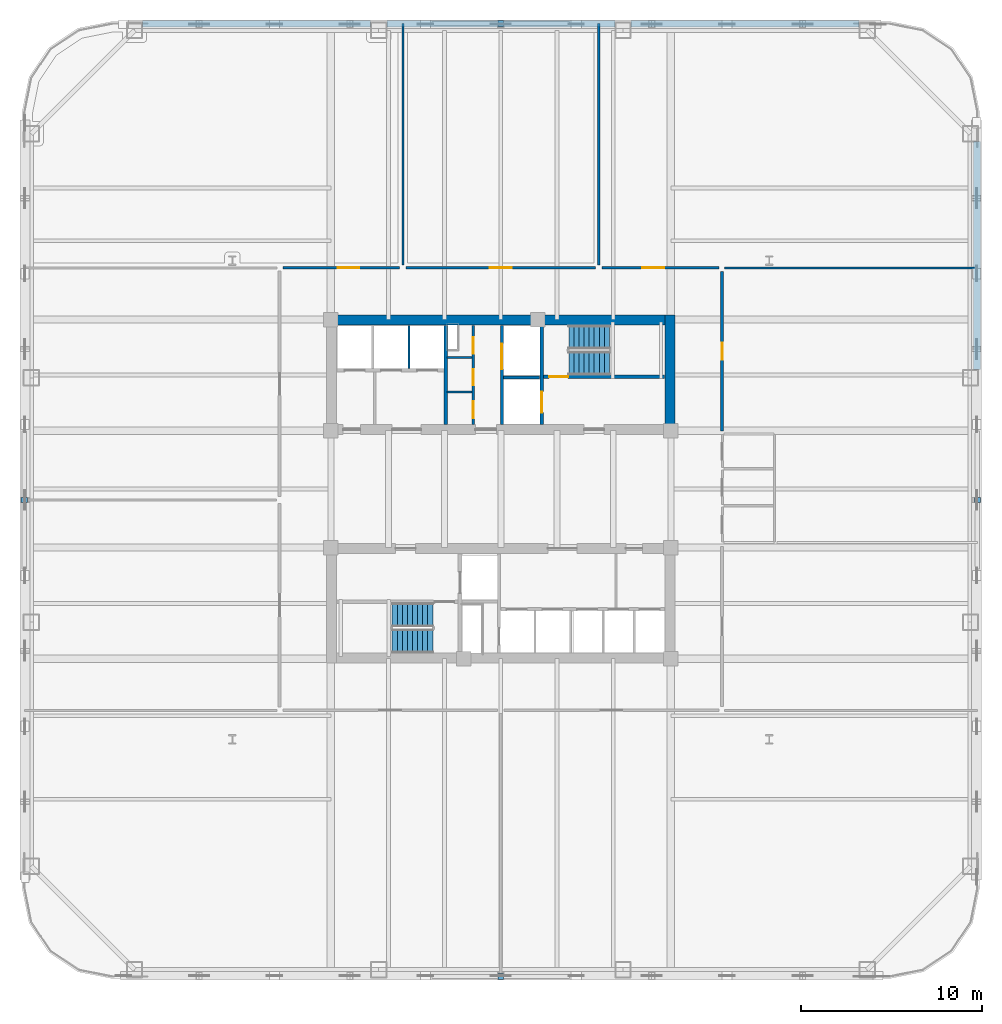
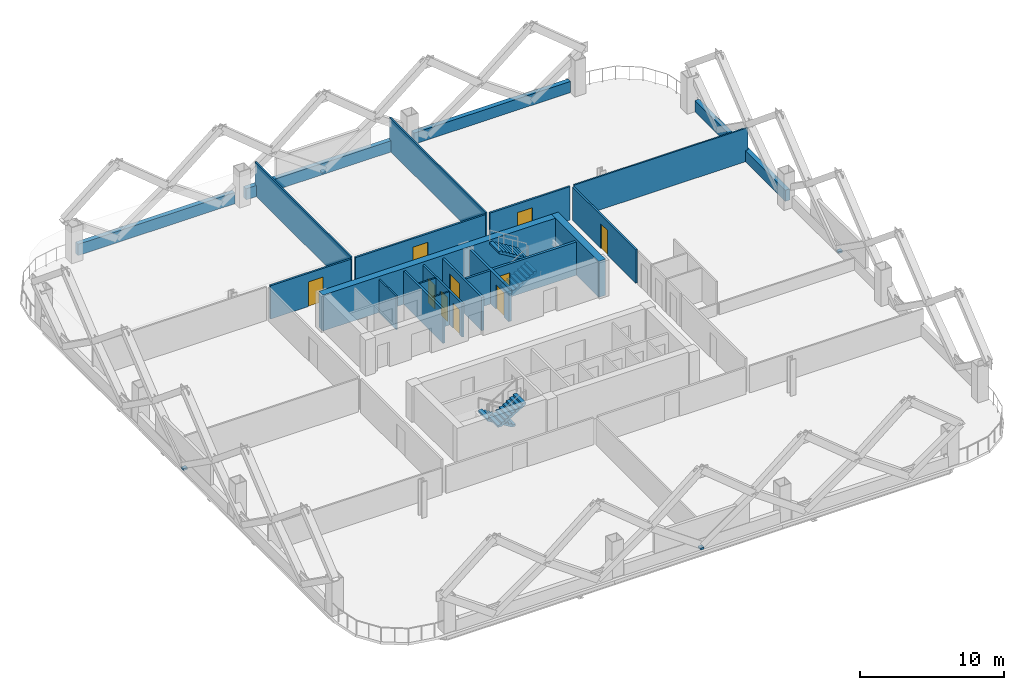
# One storey, part 6 of 12: 22 walls, 10 doors, 4 discrete accessories, 4 stair flights, 10 openings, 2 elements without a shape of their own.
"""IFC4 building model written with IfcOpenShell, lengths in metres."""

from ifc_helpers import new_model, si_unit, direction, frame, frame_2d, origin, origin_2d, place, context, subcontext, project, spatial, polyline, rectangle, outline, extrude, material, layer, layer_set, type_object, element, fill, aggregate, save


model = new_model("IFC4")

# Units and contexts
model_context = context("Model", 3, precision=1e-05, world=origin(), true_north=direction((0.0, 1.0)))
body_context = subcontext(model_context, "Body", "Model", "MODEL_VIEW")
ifc_project = project(units=[si_unit("LENGTHUNIT", "METRE"), si_unit("AREAUNIT", "SQUARE_METRE"), si_unit("VOLUMEUNIT", "CUBIC_METRE"), si_unit("PLANEANGLEUNIT", "RADIAN"), si_unit("MASSUNIT", "GRAM", prefix="KILO")], contexts=[model_context])

# Site, building, storey
site_placement = place(None, origin())
site = spatial("IfcSite", under=ifc_project, at=site_placement, CompositionType="ELEMENT")
building_placement = place(site_placement, origin())
building = spatial("IfcBuilding", under=site, at=building_placement, Name="Qhalaya Broadcast Tower", CompositionType="ELEMENT")
storey_placement = place(building_placement, frame((0.0, 0.0, 50.5)))
storey = spatial("IfcBuildingStorey", under=building, at=storey_placement, Name="L14", CompositionType="ELEMENT", Elevation=50.5)

# Wall, openings, doors
ifc_material_1 = material(Name="Gypsum Acoustic Partition")
ifc_layer_1 = layer(ifc_material_1, 0.14990234375, Name="Gypsum Acoustic Partition")
ifc_layer_set_1 = layer_set([ifc_layer_1], Name="Gypsum Acoustic Partition")
wall_type_1 = type_object("IfcWallType", Name="Corridor & Tenancy Acoustic Partition 150", PredefinedType="PARTITIONING", material=ifc_layer_set_1)
wall_1_placement = place(storey_placement, frame((-1.52001953125, 4.169921875, 0.0), z_axis=(0.0, 0.0, 1.0), x_axis=(0.0, 1.0, 0.0)))
wall_1 = element("IfcWall", 1, at=wall_1_placement, inside=storey, type_object=wall_type_1, Name="L14 Partition Wall NCW-SVL", PredefinedType="PARTITIONING", context=body_context, shape_type="SweptSolid", body=[
    extrude(rectangle(XDim=5.4599609375, YDim=0.14990234375, at=frame_2d((2.72998046875, 0.0))), origin(), (0.0, 0.0, 1.0), 2.830078125),
])
opening_1_placement = place(wall_1_placement, frame((3.89990234375, 0.0, 0.0)))
opening_1 = element("IfcOpeningElement", 2, at=opening_1_placement, cuts=wall_1, Name="Opening D06", PredefinedType="OPENING", context=body_context, shape_type="SweptSolid", body=[
    extrude(rectangle(XDim=0.89990234375, YDim=2.050048828125, at=frame_2d((0.449951171875, 1.02490234375))), frame((0.0, 0.0869140625, 0.0), z_axis=(0.0, -1.0, 0.0), x_axis=(1.0, 0.0, 0.0)), (0.0, 0.0, 1.0), 0.173828125),
])
opening_2_placement = place(wall_1_placement, frame((2.14990234375, 0.0, 0.0)))
opening_2 = element("IfcOpeningElement", 3, at=opening_2_placement, cuts=wall_1, Name="Opening D06", PredefinedType="OPENING", context=body_context, shape_type="SweptSolid", body=[
    extrude(rectangle(XDim=0.89990234375, YDim=2.050048828125, at=frame_2d((0.449951171875, 1.02490234375))), frame((0.0, 0.0869140625, 0.0), z_axis=(0.0, -1.0, 0.0), x_axis=(1.0, 0.0, 0.0)), (0.0, 0.0, 1.0), 0.173828125),
])
opening_3_placement = place(wall_1_placement, frame((0.35009765625, 0.0, 0.0)))
opening_3 = element("IfcOpeningElement", 4, at=opening_3_placement, cuts=wall_1, Name="Opening D12", PredefinedType="OPENING", context=body_context, shape_type="SweptSolid", body=[
    extrude(rectangle(XDim=0.919921875, YDim=2.10009765625, at=frame_2d((0.4599609375, 1.050048828125))), frame((0.0, 0.0869140625, 0.0), z_axis=(0.0, -1.0, 0.0), x_axis=(1.0, 0.0, 0.0)), (0.0, 0.0, 1.0), 0.173828125),
])
ifc_material_2 = material(Name="Timber Veneer Acoustic Door", Category="wood")
door_type_1 = type_object("IfcDoorType", Name="Accessible WC & Restroom Door D12", OperationType="NOTDEFINED", PredefinedType="DOOR", material=ifc_material_2)
door_1_placement = place(opening_3_placement, origin())
door_1 = element("IfcDoor", 5, at=door_1_placement, inside=storey, type_object=door_type_1, Name="L14 Door D-NCWC", OperationType="SINGLE_SWING_RIGHT", OverallHeight=2.10009765625, OverallWidth=0.919921875, PredefinedType="DOOR", context=body_context, shape_type="SweptSolid", body=[
    extrude(rectangle(XDim=0.919921875, YDim=2.10009765625, at=frame_2d((0.4599609375, 1.050048828125))), frame((0.0, 0.02490234375, 0.0), z_axis=(0.0, -1.0, 0.0), x_axis=(1.0, 0.0, 0.0)), (0.0, 0.0, 1.0), 0.050048828125),
])
fill(opening_3, door_1)
ifc_material_3 = material(Name="Fire-Rated Steel Door", Category="steel")
door_type_2 = type_object("IfcDoorType", Name="Riser & Electrical Shaft Access Door D06", OperationType="NOTDEFINED", PredefinedType="DOOR", material=ifc_material_3)
door_2_placement = place(opening_1_placement, origin())
door_2 = element("IfcDoor", 6, at=door_2_placement, inside=storey, type_object=door_type_2, Name="L14 Riser Shaft Access Door D-NRSR", OperationType="SINGLE_SWING_RIGHT", OverallHeight=2.050048828125, OverallWidth=0.89990234375, PredefinedType="DOOR", context=body_context, shape_type="SweptSolid", body=[
    extrude(rectangle(XDim=0.89990234375, YDim=2.050048828125, at=frame_2d((0.449951171875, 1.02490234375))), frame((0.0, 0.02490234375, 0.0), z_axis=(0.0, -1.0, 0.0), x_axis=(1.0, 0.0, 0.0)), (0.0, 0.0, 1.0), 0.050048828125),
])
fill(opening_1, door_2)
door_3_placement = place(opening_2_placement, origin())
door_3 = element("IfcDoor", 7, at=door_3_placement, inside=storey, type_object=door_type_2, Name="L14 Door D-NITR", OperationType="SINGLE_SWING_LEFT", OverallHeight=2.050048828125, OverallWidth=0.89990234375, PredefinedType="DOOR", context=body_context, shape_type="SweptSolid", body=[
    extrude(rectangle(XDim=0.89990234375, YDim=2.050048828125, at=frame_2d((0.449951171875, 1.02490234375))), frame((0.0, 0.02490234375, 0.0), z_axis=(0.0, -1.0, 0.0), x_axis=(1.0, 0.0, 0.0)), (0.0, 0.0, 1.0), 0.050048828125),
])
fill(opening_2, door_3)

# Wall, opening, door
wall_2_placement = place(storey_placement, frame((-12.02001953125, 12.800048828125, 0.0), z_axis=(0.0, 0.0, 1.0), x_axis=(1.0, 0.0, 0.0)))
wall_2 = element("IfcWall", 8, at=wall_2_placement, inside=storey, type_object=wall_type_1, Name="L14 Partition Wall W-COR-01", PredefinedType="PARTITIONING", context=body_context, shape_type="SweptSolid", body=[
    extrude(rectangle(XDim=6.43994140625, YDim=0.14990234375, at=frame_2d((3.219970703125, 0.0))), origin(), (0.0, 0.0, 1.0), 2.830078125),
])
opening_4_placement = place(wall_2_placement, frame((3.02001953125, 0.0, 0.0)))
opening_4 = element("IfcOpeningElement", 9, at=opening_4_placement, cuts=wall_2, Name="Opening D11", PredefinedType="OPENING", context=body_context, shape_type="SweptSolid", body=[
    extrude(rectangle(XDim=1.199951171875, YDim=2.10009765625, at=frame_2d((0.60009765625, 1.050048828125))), frame((0.0, 0.0869140625, 0.0), z_axis=(0.0, -1.0, 0.0), x_axis=(1.0, 0.0, 0.0)), (0.0, 0.0, 1.0), 0.173828125),
])
ifc_material_4 = material(Name="Anodised Aluminium Glazed Door", Category="aluminium")
door_type_3 = type_object("IfcDoorType", Name="Conference, Boardroom & Studio Control Door D11", OperationType="NOTDEFINED", PredefinedType="DOOR", material=ifc_material_4)
door_4_placement = place(opening_4_placement, origin())
door_4 = element("IfcDoor", 10, at=door_4_placement, inside=storey, type_object=door_type_3, Name="L14 Door D-RM01", OperationType="SINGLE_SWING_RIGHT", OverallHeight=2.10009765625, OverallWidth=1.199951171875, PredefinedType="DOOR", context=body_context, shape_type="SweptSolid", body=[
    extrude(rectangle(XDim=1.199951171875, YDim=2.10009765625, at=frame_2d((0.60009765625, 1.050048828125))), frame((0.0, 0.02490234375, 0.0), z_axis=(0.0, -1.0, 0.0), x_axis=(1.0, 0.0, 0.0)), (0.0, 0.0, 1.0), 0.050048828125),
])
fill(opening_4, door_4)

wall_3_placement = place(storey_placement, frame((-5.219970703125, 12.800048828125, 0.0), z_axis=(0.0, 0.0, 1.0), x_axis=(1.0, 0.0, 0.0)))
wall_3 = element("IfcWall", 11, at=wall_3_placement, inside=storey, type_object=wall_type_1, Name="L14 Partition Wall W-COR-02", PredefinedType="PARTITIONING", context=body_context, shape_type="SweptSolid", body=[
    extrude(rectangle(XDim=10.43994140625, YDim=0.14990234375, at=frame_2d((5.219970703125, 0.0))), origin(), (0.0, 0.0, 1.0), 2.830078125),
])
opening_5_placement = place(wall_3_placement, frame((4.6201171875, 0.0, 0.0)))
opening_5 = element("IfcOpeningElement", 12, at=opening_5_placement, cuts=wall_3, Name="Opening D11", PredefinedType="OPENING", context=body_context, shape_type="SweptSolid", body=[
    extrude(rectangle(XDim=1.199951171875, YDim=2.10009765625, at=frame_2d((0.60009765625, 1.050048828125))), frame((0.0, 0.0869140625, 0.0), z_axis=(0.0, -1.0, 0.0), x_axis=(1.0, 0.0, 0.0)), (0.0, 0.0, 1.0), 0.173828125),
])
door_5_placement = place(opening_5_placement, origin())
door_5 = element("IfcDoor", 13, at=door_5_placement, inside=storey, type_object=door_type_3, Name="L14 Door D-RM02", OperationType="SINGLE_SWING_LEFT", OverallHeight=2.10009765625, OverallWidth=1.199951171875, PredefinedType="DOOR", context=body_context, shape_type="SweptSolid", body=[
    extrude(rectangle(XDim=1.199951171875, YDim=2.10009765625, at=frame_2d((0.60009765625, 1.050048828125))), frame((0.0, 0.02490234375, 0.0), z_axis=(0.0, -1.0, 0.0), x_axis=(1.0, 0.0, 0.0)), (0.0, 0.0, 1.0), 0.050048828125),
])
fill(opening_5, door_5)

wall_4_placement = place(storey_placement, frame((5.580078125, 12.800048828125, 0.0), z_axis=(0.0, 0.0, 1.0), x_axis=(1.0, 0.0, 0.0)))
wall_4 = element("IfcWall", 14, at=wall_4_placement, inside=storey, type_object=wall_type_1, Name="L14 Partition Wall W-COR-03", PredefinedType="PARTITIONING", context=body_context, shape_type="SweptSolid", body=[
    extrude(rectangle(XDim=6.43994140625, YDim=0.14990234375, at=frame_2d((3.219970703125, 0.0))), origin(), (0.0, 0.0, 1.0), 2.830078125),
])
opening_6_placement = place(wall_4_placement, frame((2.219970703125, 0.0, 0.0)))
opening_6 = element("IfcOpeningElement", 15, at=opening_6_placement, cuts=wall_4, Name="Opening D11", PredefinedType="OPENING", context=body_context, shape_type="SweptSolid", body=[
    extrude(rectangle(XDim=1.199951171875, YDim=2.10009765625, at=frame_2d((0.60009765625, 1.050048828125))), frame((0.0, 0.0869140625, 0.0), z_axis=(0.0, -1.0, 0.0), x_axis=(1.0, 0.0, 0.0)), (0.0, 0.0, 1.0), 0.173828125),
])
door_6_placement = place(opening_6_placement, origin())
door_6 = element("IfcDoor", 16, at=door_6_placement, inside=storey, type_object=door_type_3, Name="L14 Door D-RM03", OperationType="SINGLE_SWING_RIGHT", OverallHeight=2.10009765625, OverallWidth=1.199951171875, PredefinedType="DOOR", context=body_context, shape_type="SweptSolid", body=[
    extrude(rectangle(XDim=1.199951171875, YDim=2.10009765625, at=frame_2d((0.60009765625, 1.050048828125))), frame((0.0, 0.02490234375, 0.0), z_axis=(0.0, -1.0, 0.0), x_axis=(1.0, 0.0, 0.0)), (0.0, 0.0, 1.0), 0.050048828125),
])
fill(opening_6, door_6)

wall_5_placement = place(storey_placement, frame((12.199951171875, 3.800048828125, 0.0), z_axis=(0.0, 0.0, 1.0), x_axis=(0.0, 1.0, 0.0)))
wall_5 = element("IfcWall", 17, at=wall_5_placement, inside=storey, type_object=wall_type_1, Name="L14 Partition Wall W-COR-09", PredefinedType="PARTITIONING", context=body_context, shape_type="SweptSolid", body=[
    extrude(rectangle(XDim=8.800048828125, YDim=0.14990234375, at=frame_2d((4.39990234375, 0.0))), origin(), (0.0, 0.0, 1.0), 2.830078125),
])
opening_7_placement = place(wall_5_placement, frame((3.925048828125, 0.0, 0.0)))
opening_7 = element("IfcOpeningElement", 18, at=opening_7_placement, cuts=wall_5, Name="Opening D10", PredefinedType="OPENING", context=body_context, shape_type="SweptSolid", body=[
    extrude(rectangle(XDim=0.949951171875, YDim=2.10009765625, at=frame_2d((0.47509765625, 1.050048828125))), frame((0.0, 0.0869140625, 0.0), z_axis=(0.0, -1.0, 0.0), x_axis=(1.0, 0.0, 0.0)), (0.0, 0.0, 1.0), 0.173828125),
])
door_type_4 = type_object("IfcDoorType", Name="Cellular Office & Edit Booth Door D10", OperationType="NOTDEFINED", PredefinedType="DOOR", material=ifc_material_2)
door_7_placement = place(opening_7_placement, origin())
door_7 = element("IfcDoor", 19, at=door_7_placement, inside=storey, type_object=door_type_4, Name="L14 Door D-RM09", OperationType="SINGLE_SWING_RIGHT", OverallHeight=2.10009765625, OverallWidth=0.949951171875, PredefinedType="DOOR", context=body_context, shape_type="SweptSolid", body=[
    extrude(rectangle(XDim=0.949951171875, YDim=2.10009765625, at=frame_2d((0.47509765625, 1.050048828125))), frame((0.0, 0.02490234375, 0.0), z_axis=(0.0, -1.0, 0.0), x_axis=(1.0, 0.0, 0.0)), (0.0, 0.0, 1.0), 0.050048828125),
])
fill(opening_7, door_7)

# Walls
ifc_material_5 = material(Name="Precast Concrete C40/50", Category="concrete")
ifc_layer_2 = layer(ifc_material_5, 0.360107421875, Name="Precast Concrete C40/50")
ifc_layer_set_2 = layer_set([ifc_layer_2], Name="Precast Concrete C40/50")
wall_type_2 = type_object("IfcWallType", Name="Insulated Precast Terracotta Exterior Wall 360", PredefinedType="SOLIDWALL", material=ifc_layer_set_2)
for number, where, z_axis, x_axis, name in (
    (20, (26.260009765625, 19.761962890625, 0.0), (0.0, 0.0, 1.0), (0.0, -1.0, 0.0), "L14 Exoskeleton Diagrid Infill Wall E1"),
    (21, (-19.761962890625, 26.260009765625, 0.0), (0.0, 0.0, 1.0), (1.0, 0.0, 0.0), "L14 Exoskeleton Diagrid Infill Wall N1"),
):
    element("IfcWall", number, at=place(storey_placement, frame(where, z_axis=z_axis, x_axis=x_axis)), inside=storey, type_object=wall_type_2, Name=name, PredefinedType="SOLIDWALL", context=body_context, shape_type="SweptSolid", body=[
        extrude(rectangle(XDim=12.57861328125, YDim=0.360107421875, at=frame_2d((6.289306640625, 0.0))), origin(), (0.0, 0.0, 1.0), 0.949951171875),
    ])
wall_6_placement = place(storey_placement, frame((-6.283203125, 26.260009765625, 0.0), z_axis=(0.0, 0.0, 1.0), x_axis=(1.0, 0.0, 0.0)))
element("IfcWall", 22, at=wall_6_placement, inside=storey, type_object=wall_type_2, Name="L14 Exoskeleton Diagrid Infill Wall N2", PredefinedType="SOLIDWALL", context=body_context, shape_type="SweptSolid", body=[
    extrude(rectangle(XDim=12.56640625, YDim=0.360107421875, at=frame_2d((6.283203125, 0.0))), origin(), (0.0, 0.0, 1.0), 0.949951171875),
])
wall_7_placement = place(storey_placement, frame((7.183349609375, 26.260009765625, 0.0), z_axis=(0.0, 0.0, 1.0), x_axis=(1.0, 0.0, 0.0)))
element("IfcWall", 23, at=wall_7_placement, inside=storey, type_object=wall_type_2, Name="L14 Exoskeleton Diagrid Infill Wall N3", PredefinedType="SOLIDWALL", context=body_context, shape_type="SweptSolid", body=[
    extrude(rectangle(XDim=12.57861328125, YDim=0.360107421875, at=frame_2d((6.289306640625, 0.0))), origin(), (0.0, 0.0, 1.0), 0.949951171875),
])

# Wall, opening, door
ifc_material_6 = material(Name="Concrete C50/60", Category="concrete")
ifc_layer_3 = layer(ifc_material_6, 0.199951171875, Name="Concrete C50/60")
ifc_layer_set_3 = layer_set([ifc_layer_3], Name="Concrete C50/60")
wall_type_3 = type_object("IfcWallType", Name="Load-Bearing Stair Shaft Wall 200", PredefinedType="SHEAR", material=ifc_layer_set_3)
wall_8_placement = place(storey_placement, frame((2.360107421875, 6.804931640625, 0.0), z_axis=(0.0, 0.0, 1.0), x_axis=(1.0, 0.0, 0.0)))
wall_8 = element("IfcWall", 24, at=wall_8_placement, inside=storey, type_object=wall_type_3, Name="L14 Stair Core Shear Wall NCW-ST1", PredefinedType="SHEAR", context=body_context, shape_type="SweptSolid", body=[
    extrude(rectangle(XDim=6.669921875, YDim=0.199951171875, at=frame_2d((3.3349609375, 0.0))), origin(), (0.0, 0.0, 1.0), 2.830078125),
])
opening_8_placement = place(wall_8_placement, frame((0.300048828125, 0.0, 0.0)))
opening_8 = element("IfcOpeningElement", 25, at=opening_8_placement, cuts=wall_8, Name="Opening D03", PredefinedType="OPENING", context=body_context, shape_type="SweptSolid", body=[
    extrude(rectangle(XDim=1.050048828125, YDim=2.080078125, at=frame_2d((0.52490234375, 1.0400390625))), frame((0.0, 0.112060546875, 0.0), z_axis=(0.0, -1.0, 0.0), x_axis=(1.0, 0.0, 0.0)), (0.0, 0.0, 1.0), 0.223876953125),
])
door_type_5 = type_object("IfcDoorType", Name="Core Stair Protected Fire Door D03", OperationType="NOTDEFINED", PredefinedType="DOOR", material=ifc_material_3)
door_8_placement = place(opening_8_placement, origin())
door_8 = element("IfcDoor", 26, at=door_8_placement, inside=storey, type_object=door_type_5, Name="L14 Door D-NST1", OperationType="SINGLE_SWING_LEFT", OverallHeight=2.080078125, OverallWidth=1.050048828125, PredefinedType="DOOR", context=body_context, shape_type="SweptSolid", body=[
    extrude(rectangle(XDim=1.050048828125, YDim=2.080078125, at=frame_2d((0.52490234375, 1.0400390625))), frame((0.0, 0.02490234375, 0.0), z_axis=(0.0, -1.0, 0.0), x_axis=(1.0, 0.0, 0.0)), (0.0, 0.0, 1.0), 0.050048828125),
])
fill(opening_8, door_8)

wall_9_placement = place(storey_placement, frame((2.25, 4.169921875, 0.0), z_axis=(0.0, 0.0, 1.0), x_axis=(0.0, 1.0, 0.0)))
wall_9 = element("IfcWall", 27, at=wall_9_placement, inside=storey, type_object=wall_type_3, Name="L14 Stair Core Shear Wall NCW-FF", PredefinedType="SHEAR", context=body_context, shape_type="SweptSolid", body=[
    extrude(rectangle(XDim=5.4599609375, YDim=0.199951171875, at=frame_2d((2.72998046875, 0.0))), origin(), (0.0, 0.0, 1.0), 2.830078125),
])
opening_9_placement = place(wall_9_placement, frame((0.64990234375, 0.0, 0.0)))
opening_9 = element("IfcOpeningElement", 28, at=opening_9_placement, cuts=wall_9, Name="Opening LD2", PredefinedType="OPENING", context=body_context, shape_type="SweptSolid", body=[
    extrude(rectangle(XDim=1.14990234375, YDim=2.080078125, at=frame_2d((0.574951171875, 1.0400390625))), frame((0.0, 0.112060546875, 0.0), z_axis=(0.0, -1.0, 0.0), x_axis=(1.0, 0.0, 0.0)), (0.0, 0.0, 1.0), 0.223876953125),
])
ifc_material_7 = material(Name="Brushed Stainless Steel Lift Door", Category="steel")
door_type_6 = type_object("IfcDoorType", Name="Firefighting Lift Sliding Landing Door LD2", OperationType="DOUBLE_DOOR_SLIDING", PredefinedType="DOOR", material=ifc_material_7)
door_9_placement = place(opening_9_placement, origin())
door_9 = element("IfcDoor", 29, at=door_9_placement, inside=storey, type_object=door_type_6, Name="L14 Door LD-FF1", OperationType="DOUBLE_DOOR_SLIDING", OverallHeight=2.080078125, OverallWidth=1.14990234375, PredefinedType="DOOR", context=body_context, shape_type="SweptSolid", body=[
    extrude(rectangle(XDim=1.14990234375, YDim=2.080078125, at=frame_2d((0.574951171875, 1.0400390625))), frame((0.0, 0.02490234375, 0.0), z_axis=(0.0, -1.0, 0.0), x_axis=(1.0, 0.0, 0.0)), (0.0, 0.0, 1.0), 0.050048828125),
])
fill(opening_9, door_9)

# Walls
ifc_material_8 = material(Name="Concrete C60/75", Category="concrete")
ifc_layer_4 = layer(ifc_material_8, 0.550048828125, Name="Concrete C60/75")
ifc_layer_set_4 = layer_set([ifc_layer_4], Name="Concrete C60/75")
wall_type_4 = type_object("IfcWallType", Name="Lower Split-Core Shear Wall 550", PredefinedType="SHEAR", material=ifc_layer_set_4)
wall_10_placement = place(storey_placement, frame((-9.60009765625, 9.925048828125, 0.0), z_axis=(0.0, 0.0, 1.0), x_axis=(1.0, 0.0, 0.0)))
element("IfcWall", 30, at=wall_10_placement, inside=storey, type_object=wall_type_4, Name="L14 Split-Core Shear Wall CW-NN", PredefinedType="SHEAR", context=body_context, shape_type="SweptSolid", body=[
    extrude(rectangle(XDim=19.2001953125, YDim=0.550048828125, at=frame_2d((9.60009765625, 0.0))), origin(), (0.0, 0.0, 1.0), 3.050048828125),
])
wall_11_placement = place(storey_placement, frame((9.324951171875, 3.60009765625, 0.0), z_axis=(0.0, 0.0, 1.0), x_axis=(0.0, 1.0, 0.0)))
element("IfcWall", 31, at=wall_11_placement, inside=storey, type_object=wall_type_4, Name="L14 Split-Core Shear Wall CW-NE", PredefinedType="SHEAR", context=body_context, shape_type="SweptSolid", body=[
    extrude(rectangle(XDim=6.599853515625, YDim=0.550048828125, at=frame_2d((3.2998046875, 0.0))), origin(), (0.0, 0.0, 1.0), 3.050048828125),
])
ifc_layer_5 = layer(ifc_material_1, 0.1201171875, Name="Gypsum Acoustic Partition")
ifc_layer_set_5 = layer_set([ifc_layer_5], Name="Gypsum Acoustic Partition")
wall_type_5 = type_object("IfcWallType", Name="Office, Booth & Sanitary Partition 120", PredefinedType="PARTITIONING", material=ifc_layer_set_5)
for number, where, z_axis, x_axis, name in (
    (32, (-2.9599609375, 5.949951171875, 0.0), (0.0, 0.0, 1.0), (1.0, 0.0, 0.0), "L14 Partition Wall NCW-VB1"),
    (33, (-2.9599609375, 7.85009765625, 0.0), (0.0, 0.0, 1.0), (1.0, 0.0, 0.0), "L14 Partition Wall NCW-VB2"),
):
    element("IfcWall", number, at=place(storey_placement, frame(where, z_axis=z_axis, x_axis=x_axis)), inside=storey, type_object=wall_type_5, Name=name, PredefinedType="PARTITIONING", context=body_context, shape_type="SweptSolid", body=[
        extrude(rectangle(XDim=1.35986328125, YDim=0.1201171875, at=frame_2d((0.679931640625, 0.0))), origin(), (0.0, 0.0, 1.0), 2.830078125),
    ])
wall_12_placement = place(storey_placement, frame((-5.06005859375, 7.25, 0.0), z_axis=(0.0, 0.0, 1.0), x_axis=(0.0, 1.0, 0.0)))
element("IfcWall", 34, at=wall_12_placement, inside=storey, type_object=wall_type_5, Name="L14 Partition Wall NCW-PD2", PredefinedType="PARTITIONING", context=body_context, shape_type="SweptSolid", body=[
    extrude(rectangle(XDim=2.3798828125, YDim=0.1201171875, at=frame_2d((1.18994140625, 0.0))), origin(), (0.0, 0.0, 1.0), 2.830078125),
])
wall_13_placement = place(storey_placement, frame((12.340087890625, 12.800048828125, 0.0), z_axis=(0.0, 0.0, 1.0), x_axis=(1.0, 0.0, 0.0)))
element("IfcWall", 35, at=wall_13_placement, inside=storey, type_object=wall_type_5, Name="L14 Partition Wall W-BNDE1", PredefinedType="PARTITIONING", context=body_context, shape_type="SweptSolid", body=[
    extrude(rectangle(XDim=13.93994140625, YDim=0.1201171875, at=frame_2d((6.969970703125, 0.0))), origin(), (0.0, 0.0, 1.0), 2.830078125),
])
for number, where, z_axis, x_axis, name in (
    (36, (-5.39990234375, 12.9599609375, 0.0), (0.0, 0.0, 1.0), (0.0, 1.0, 0.0), "L14 Partition Wall W-DIVN1"),
    (37, (5.39990234375, 12.9599609375, 0.0), (0.0, 0.0, 1.0), (0.0, 1.0, 0.0), "L14 Partition Wall W-DIVN2"),
):
    element("IfcWall", number, at=place(storey_placement, frame(where, z_axis=z_axis, x_axis=x_axis)), inside=storey, type_object=wall_type_5, Name=name, PredefinedType="PARTITIONING", context=body_context, shape_type="SweptSolid", body=[
        extrude(rectangle(XDim=13.320068359375, YDim=0.1201171875, at=frame_2d((6.66015625, 0.0))), origin(), (0.0, 0.0, 1.0), 2.830078125),
    ])

# Wall, opening, door
ifc_layer_6 = layer(ifc_material_1, 0.175048828125, Name="Gypsum Acoustic Partition")
ifc_layer_set_6 = layer_set([ifc_layer_6], Name="Gypsum Acoustic Partition")
wall_type_6 = type_object("IfcWallType", Name="Shaft & Riser Fire Partition 175", PredefinedType="PARTITIONING", material=ifc_layer_set_6)
wall_14_placement = place(storey_placement, frame((0.06005859375, 4.169921875, 0.0), z_axis=(0.0, 0.0, 1.0), x_axis=(0.0, 1.0, 0.0)))
wall_14 = element("IfcWall", 38, at=wall_14_placement, inside=storey, type_object=wall_type_6, Name="L14 Partition Wall NCW-SVW", PredefinedType="PARTITIONING", context=body_context, shape_type="SweptSolid", body=[
    extrude(rectangle(XDim=5.4599609375, YDim=0.175048828125, at=frame_2d((2.72998046875, 0.0))), origin(), (0.0, 0.0, 1.0), 2.830078125),
])
opening_10_placement = place(wall_14_placement, frame((3.050048828125, 0.0, 0.0)))
opening_10 = element("IfcOpeningElement", 39, at=opening_10_placement, cuts=wall_14, Name="Opening LD3", PredefinedType="OPENING", context=body_context, shape_type="SweptSolid", body=[
    extrude(rectangle(XDim=1.39990234375, YDim=2.1201171875, at=frame_2d((0.699951171875, 1.06005859375))), frame((0.0, 0.099609375, 0.0), z_axis=(0.0, -1.0, 0.0), x_axis=(1.0, 0.0, 0.0)), (0.0, 0.0, 1.0), 0.198974609375),
])
door_type_7 = type_object("IfcDoorType", Name="Service Lift Wide Sliding Landing Door LD3", OperationType="DOUBLE_DOOR_SLIDING", PredefinedType="DOOR", material=ifc_material_7)
door_10_placement = place(opening_10_placement, origin())
door_10 = element("IfcDoor", 40, at=door_10_placement, inside=storey, type_object=door_type_7, Name="L14 Door LD-SV1", OperationType="DOUBLE_DOOR_SLIDING", OverallHeight=2.1201171875, OverallWidth=1.39990234375, PredefinedType="DOOR", context=body_context, shape_type="SweptSolid", body=[
    extrude(rectangle(XDim=1.39990234375, YDim=2.1201171875, at=frame_2d((0.699951171875, 1.06005859375))), frame((0.0, 0.02490234375, 0.0), z_axis=(0.0, -1.0, 0.0), x_axis=(1.0, 0.0, 0.0)), (0.0, 0.0, 1.0), 0.050048828125),
])
fill(opening_10, door_10)

# Walls
wall_15_placement = place(storey_placement, frame((0.159912109375, 6.75, 0.0), z_axis=(0.0, 0.0, 1.0), x_axis=(1.0, 0.0, 0.0)))
element("IfcWall", 41, at=wall_15_placement, inside=storey, type_object=wall_type_6, Name="L14 Partition Wall NCW-SVM", PredefinedType="PARTITIONING", context=body_context, shape_type="SweptSolid", body=[
    extrude(rectangle(XDim=1.97998046875, YDim=0.175048828125, at=frame_2d((0.989990234375, 0.0))), origin(), (0.0, 0.0, 1.0), 2.830078125),
])
wall_16_placement = place(storey_placement, frame((-3.0400390625, 4.169921875, 0.0), z_axis=(0.0, 0.0, 1.0), x_axis=(0.0, 1.0, 0.0)))
element("IfcWall", 42, at=wall_16_placement, inside=storey, type_object=wall_type_6, Name="L14 Partition Wall NCW-VRW", PredefinedType="PARTITIONING", context=body_context, shape_type="SweptSolid", body=[
    extrude(rectangle(XDim=5.4599609375, YDim=0.175048828125, at=frame_2d((2.72998046875, 0.0))), origin(), (0.0, 0.0, 1.0), 2.830078125),
])

# Stair, stair flights
ifc_material_9 = material(Name="Concrete C40/50", Category="concrete")
stair_type = type_object("IfcStairType", Name="Protected Dogleg Core Stair 3150", PredefinedType="TWO_STRAIGHT_RUN_STAIR", material=ifc_material_9)
stair_1_placement = place(storey_placement, origin())
stair_1 = element("IfcStair", 43, at=stair_1_placement, inside=storey, type_object=stair_type, Name="L14 North Core Exit Stair ST-1", PredefinedType="TWO_STRAIGHT_RUN_STAIR")
stair_flight_type = type_object("IfcStairFlightType", Name="Precast Concrete Stair Flight 3150", PredefinedType="STRAIGHT", material=ifc_material_5)
stair_flight_1_placement = place(storey_placement, frame((3.75, 7.5400390625, 0.0), z_axis=(0.0, 0.0, 1.0), x_axis=(1.0, 0.0, 0.0)))
stair_flight_1 = element("IfcStairFlight", 44, at=stair_flight_1_placement, type_object=stair_flight_type, Name="ST-1 flight 1", NumberOfRisers=9, NumberOfTreads=8, PredefinedType="STRAIGHT", RiserHeight=0.169444444, TreadLength=0.28, context=body_context, shape_type="SweptSolid", body=[
    extrude(outline(polyline([(0.0, 0.0), (0.0, 0.16943359375), (0.280029296875, 0.16943359375), (0.280029296875, 0.3388671875), (0.56005859375, 0.3388671875), (0.56005859375, 0.50830078125), (0.840087890625, 0.50830078125), (0.840087890625, 0.677734375), (1.1201171875, 0.677734375), (1.1201171875, 0.84716796875), (1.39990234375, 0.84716796875), (1.39990234375, 1.0166015625), (1.679931640625, 1.0166015625), (1.679931640625, 1.18603515625), (1.9599609375, 1.18603515625), (1.9599609375, 1.35546875), (2.239990234375, 1.35546875), (2.239990234375, 1.52490234375), (2.239990234375, 1.180419921875), (0.28955078125, 0.0), (0.0, 0.0)])), frame((0.0, 0.66015625, 0.0), z_axis=(0.0, -1.0, 0.0), x_axis=(1.0, 0.0, 0.0)), (0.0, 0.0, 1.0), 1.320068359375),
])
stair_flight_2_placement = place(storey_placement, frame((5.989990234375, 8.97998046875, 1.52490234375), z_axis=(0.0, 0.0, 1.0), x_axis=(-1.0, 0.0, 0.0)))
stair_flight_2 = element("IfcStairFlight", 45, at=stair_flight_2_placement, type_object=stair_flight_type, Name="ST-1 flight 2", NumberOfRisers=9, NumberOfTreads=8, PredefinedType="STRAIGHT", RiserHeight=0.169444444, TreadLength=0.28, context=body_context, shape_type="SweptSolid", body=[
    extrude(outline(polyline([(0.0, 0.0), (0.0, 0.16943359375), (0.280029296875, 0.16943359375), (0.280029296875, 0.3388671875), (0.56005859375, 0.3388671875), (0.56005859375, 0.50830078125), (0.840087890625, 0.50830078125), (0.840087890625, 0.677734375), (1.1201171875, 0.677734375), (1.1201171875, 0.84716796875), (1.39990234375, 0.84716796875), (1.39990234375, 1.0166015625), (1.679931640625, 1.0166015625), (1.679931640625, 1.18603515625), (1.9599609375, 1.18603515625), (1.9599609375, 1.35546875), (2.239990234375, 1.35546875), (2.239990234375, 1.52490234375), (2.239990234375, 1.180419921875), (0.28955078125, 0.0), (0.0, 0.0)])), frame((0.0, 0.66015625, 0.0), z_axis=(0.0, -1.0, 0.0), x_axis=(1.0, 0.0, 0.0)), (0.0, 0.0, 1.0), 1.320068359375),
])
aggregate(stair_1, [stair_flight_1, stair_flight_2])

stair_2_placement = place(storey_placement, origin())
stair_2 = element("IfcStair", 46, at=stair_2_placement, inside=storey, type_object=stair_type, Name="L14 South Core Exit Stair ST-2", PredefinedType="TWO_STRAIGHT_RUN_STAIR")
stair_flight_3_placement = place(storey_placement, frame((-3.75, -6.340087890625, 0.0), z_axis=(0.0, 0.0, 1.0), x_axis=(-1.0, 0.0, 0.0)))
stair_flight_3 = element("IfcStairFlight", 47, at=stair_flight_3_placement, type_object=stair_flight_type, Name="ST-2 flight 1", NumberOfRisers=9, NumberOfTreads=8, PredefinedType="STRAIGHT", RiserHeight=0.169444444, TreadLength=0.28, context=body_context, shape_type="SweptSolid", body=[
    extrude(outline(polyline([(0.0, 0.0), (0.0, 0.16943359375), (0.280029296875, 0.16943359375), (0.280029296875, 0.3388671875), (0.56005859375, 0.3388671875), (0.56005859375, 0.50830078125), (0.840087890625, 0.50830078125), (0.840087890625, 0.677734375), (1.1201171875, 0.677734375), (1.1201171875, 0.84716796875), (1.39990234375, 0.84716796875), (1.39990234375, 1.0166015625), (1.679931640625, 1.0166015625), (1.679931640625, 1.18603515625), (1.9599609375, 1.18603515625), (1.9599609375, 1.35546875), (2.239990234375, 1.35546875), (2.239990234375, 1.52490234375), (2.239990234375, 1.180419921875), (0.28955078125, 0.0), (0.0, 0.0)])), frame((0.0, 0.66015625, 0.0), z_axis=(0.0, -1.0, 0.0), x_axis=(1.0, 0.0, 0.0)), (0.0, 0.0, 1.0), 1.320068359375),
])
stair_flight_4_placement = place(storey_placement, frame((-5.989990234375, -7.780029296875, 1.52490234375), z_axis=(0.0, 0.0, 1.0), x_axis=(1.0, 0.0, 0.0)))
stair_flight_4 = element("IfcStairFlight", 48, at=stair_flight_4_placement, type_object=stair_flight_type, Name="ST-2 flight 2", NumberOfRisers=9, NumberOfTreads=8, PredefinedType="STRAIGHT", RiserHeight=0.169444444, TreadLength=0.28, context=body_context, shape_type="SweptSolid", body=[
    extrude(outline(polyline([(0.0, 0.0), (0.0, 0.16943359375), (0.280029296875, 0.16943359375), (0.280029296875, 0.3388671875), (0.56005859375, 0.3388671875), (0.56005859375, 0.50830078125), (0.840087890625, 0.50830078125), (0.840087890625, 0.677734375), (1.1201171875, 0.677734375), (1.1201171875, 0.84716796875), (1.39990234375, 0.84716796875), (1.39990234375, 1.0166015625), (1.679931640625, 1.0166015625), (1.679931640625, 1.18603515625), (1.9599609375, 1.18603515625), (1.9599609375, 1.35546875), (2.239990234375, 1.35546875), (2.239990234375, 1.52490234375), (2.239990234375, 1.180419921875), (0.28955078125, 0.0), (0.0, 0.0)])), frame((0.0, 0.66015625, 0.0), z_axis=(0.0, -1.0, 0.0), x_axis=(1.0, 0.0, 0.0)), (0.0, 0.0, 1.0), 1.320068359375),
])
aggregate(stair_2, [stair_flight_3, stair_flight_4])

# Discrete accessories
ifc_material_10 = material(Name="Structural Steel ASTM A572 Grade 50", Category="steel")
discrete_accessory_type = type_object("IfcDiscreteAccessoryType", Name="Facade Baguette Support Bracket BRK-01", PredefinedType="BRACKET", material=ifc_material_10)
for number, where, z_axis, x_axis, name in (
    (49, (0.0, -26.280029296875, 0.0), (0.0, 0.0, 1.0), (1.0, 0.0, 0.0), "L14 Baguette Support Bracket S"),
    (50, (26.280029296875, 0.0, 0.0), (0.0, 0.0, 1.0), (0.0, 1.0, 0.0), "L14 Baguette Support Bracket E"),
    (51, (0.0, 26.280029296875, 0.0), (0.0, 0.0, 1.0), (-1.0, 0.0, 0.0), "L14 Baguette Support Bracket N"),
    (52, (-26.280029296875, 0.0, 0.0), (0.0, 0.0, 1.0), (0.0, -1.0, 0.0), "L14 Baguette Support Bracket W"),
):
    element("IfcDiscreteAccessory", number, at=place(storey_placement, frame(where, z_axis=z_axis, x_axis=x_axis)), inside=storey, type_object=discrete_accessory_type, Name=name, PredefinedType="BRACKET", context=body_context, shape_type="SweptSolid", body=[
        extrude(rectangle(XDim=0.300048828125, YDim=0.340087890625, at=origin_2d()), origin(), (0.0, 0.0, 1.0), 0.159912109375),
    ])

save(model, "model.ifc")
